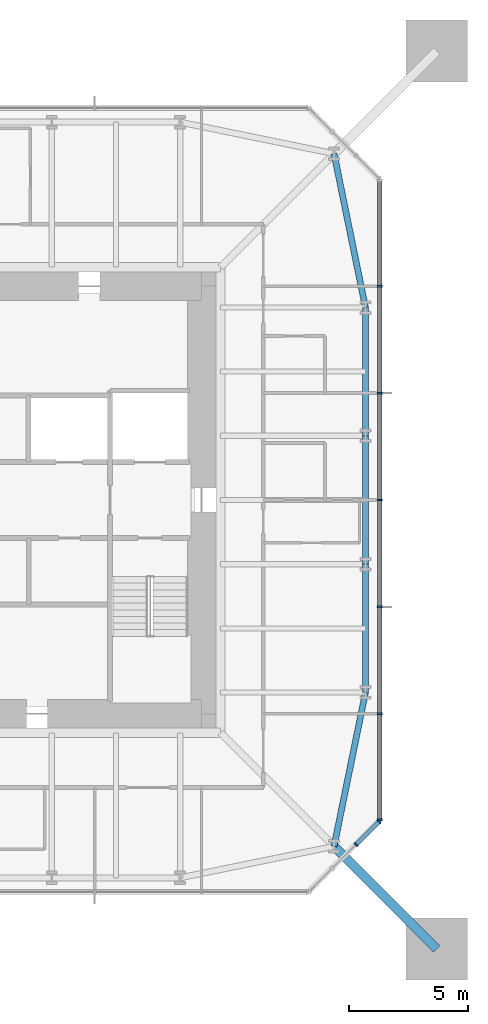
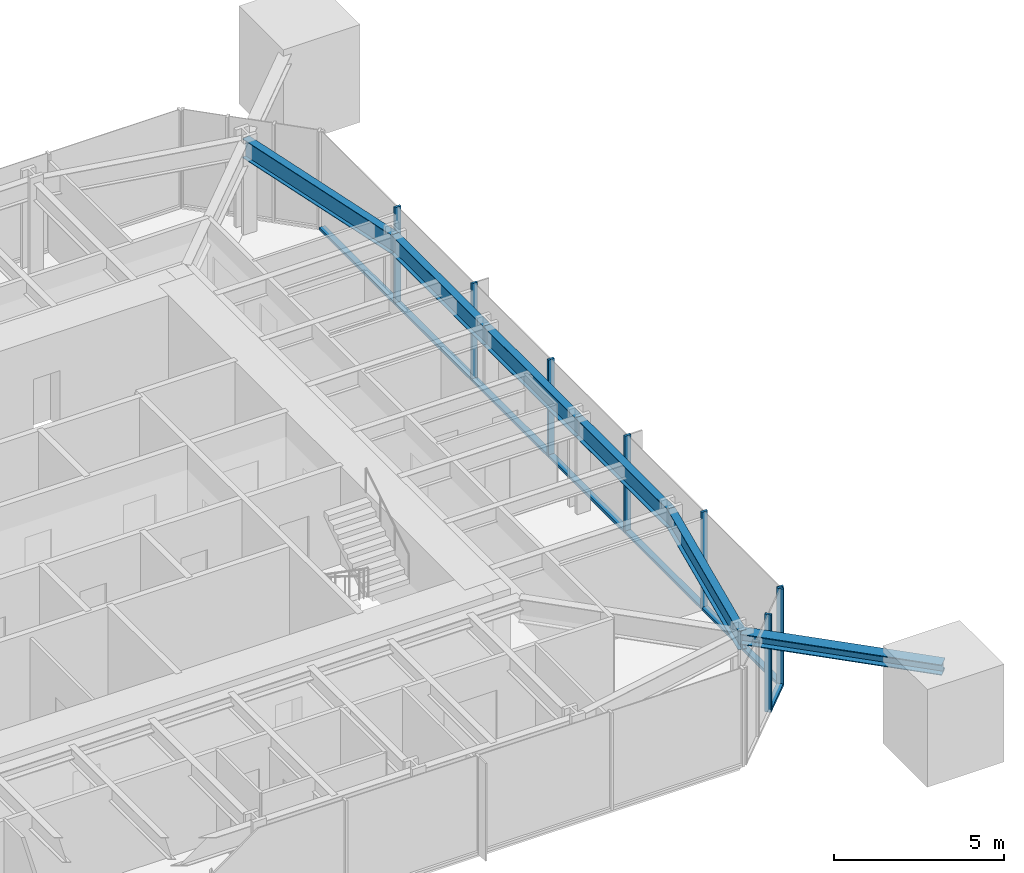
# One storey, part 3 of 9: 16 members, 5 beams, 2 elements without a shape of their own.
"""IFC4 building model written with IfcOpenShell, lengths in metres."""

from ifc_helpers import new_model, si_unit, direction, frame, origin, origin_2d, place, context, subcontext, project, spatial, rectangle, i_section, extrude, material, material_profile, profile_set, type_object, element, aggregate, save


model = new_model("IFC4")

# Units and contexts
model_context = context("Model", 3, precision=1e-05, world=origin(), true_north=direction((0.0, 1.0)))
body_context = subcontext(model_context, "Body", "Model", "MODEL_VIEW")
ifc_project = project(units=[si_unit("LENGTHUNIT", "METRE"), si_unit("AREAUNIT", "SQUARE_METRE"), si_unit("VOLUMEUNIT", "CUBIC_METRE"), si_unit("PLANEANGLEUNIT", "RADIAN"), si_unit("MASSUNIT", "GRAM", prefix="KILO")], contexts=[model_context])

# Site, building, storey
site_placement = place(None, origin())
site = spatial("IfcSite", under=ifc_project, at=site_placement, CompositionType="ELEMENT")
building_placement = place(site_placement, origin())
building = spatial("IfcBuilding", under=site, at=building_placement, Name="Iwan Alto Co-Living Towers", CompositionType="ELEMENT")
storey_placement = place(building_placement, frame((0.0, 0.0, 236.0)))
storey = spatial("IfcBuildingStorey", under=building, at=storey_placement, Name="L64", CompositionType="ELEMENT", Elevation=236.0)

# Curtain wall, members
ifc_material_1 = material(Name="Bronze aluminium unitised frame", Category="aluminium")
curtain_wall_type_1 = type_object("IfcCurtainWallType", Name="CURTAIN WALL CW-A", PredefinedType="NOTDEFINED", material=ifc_material_1)
curtain_wall_1_placement = place(storey_placement, origin())
curtain_wall_1 = element("IfcCurtainWall", 1, at=curtain_wall_1_placement, inside=storey, type_object=curtain_wall_type_1, Name="T1 curtain wall E L64", PredefinedType="NOTDEFINED")
ifc_material_2 = material(Name="Aluminium 6063-T6 bronze anodised", Category="aluminium")
ifc_material_profile_1 = material_profile(ifc_material_2, rectangle(XDim=0.199951171875, YDim=0.080078125, at=origin_2d()), Name="AL 80X200")
ifc_profile_set_1 = profile_set([ifc_material_profile_1], Name="Aluminium 6063-T6 bronze anodised")
member_type_1 = type_object("IfcMemberType", Name="CW-A MULLION 80X200", PredefinedType="MULLION", material=ifc_profile_set_1)
member_1_placement = place(storey_placement, frame((16.5, -13.4599609375, 0.0), z_axis=(0.0, 0.0, 1.0), x_axis=(-1.0, 0.0, 0.0)))
member_1 = element("IfcMember", 2, at=member_1_placement, type_object=member_type_1, Name="CW-A mullion 1", PredefinedType="MULLION", context=body_context, shape_type="SweptSolid", body=[
    extrude(rectangle(XDim=0.199951171875, YDim=0.080078125, at=origin_2d()), origin(), (0.0, 0.0, 1.0), 3.5),
])
member_2_placement = place(storey_placement, frame((16.5, -9.0, 0.0), z_axis=(0.0, 0.0, 1.0), x_axis=(-1.0, 0.0, 0.0)))
member_2 = element("IfcMember", 3, at=member_2_placement, type_object=member_type_1, Name="CW-A mullion 2", PredefinedType="MULLION", context=body_context, shape_type="SweptSolid", body=[
    extrude(rectangle(XDim=0.199951171875, YDim=0.080078125, at=origin_2d()), origin(), (0.0, 0.0, 1.0), 3.5),
])
member_3_placement = place(storey_placement, frame((16.5, -4.5, 0.0), z_axis=(0.0, 0.0, 1.0), x_axis=(-1.0, 0.0, 0.0)))
member_3 = element("IfcMember", 4, at=member_3_placement, type_object=member_type_1, Name="CW-A mullion 3", PredefinedType="MULLION", context=body_context, shape_type="SweptSolid", body=[
    extrude(rectangle(XDim=0.199951171875, YDim=0.080078125, at=origin_2d()), origin(), (0.0, 0.0, 1.0), 3.5),
])
member_4_placement = place(storey_placement, frame((16.5, 0.0, 0.0), z_axis=(0.0, 0.0, 1.0), x_axis=(-1.0, 0.0, 0.0)))
member_4 = element("IfcMember", 5, at=member_4_placement, type_object=member_type_1, Name="CW-A mullion 4", PredefinedType="MULLION", context=body_context, shape_type="SweptSolid", body=[
    extrude(rectangle(XDim=0.199951171875, YDim=0.080078125, at=origin_2d()), origin(), (0.0, 0.0, 1.0), 3.5),
])
member_5_placement = place(storey_placement, frame((16.5, 4.5, 0.0), z_axis=(0.0, 0.0, 1.0), x_axis=(-1.0, 0.0, 0.0)))
member_5 = element("IfcMember", 6, at=member_5_placement, type_object=member_type_1, Name="CW-A mullion 5", PredefinedType="MULLION", context=body_context, shape_type="SweptSolid", body=[
    extrude(rectangle(XDim=0.199951171875, YDim=0.080078125, at=origin_2d()), origin(), (0.0, 0.0, 1.0), 3.5),
])
member_6_placement = place(storey_placement, frame((16.5, 9.0, 0.0), z_axis=(0.0, 0.0, 1.0), x_axis=(-1.0, 0.0, 0.0)))
member_6 = element("IfcMember", 7, at=member_6_placement, type_object=member_type_1, Name="CW-A mullion 6", PredefinedType="MULLION", context=body_context, shape_type="SweptSolid", body=[
    extrude(rectangle(XDim=0.199951171875, YDim=0.080078125, at=origin_2d()), origin(), (0.0, 0.0, 1.0), 3.5),
])
ifc_material_3 = material(Name="Aluminium 6063-T6 bronze anodised", Category="aluminium")
ifc_material_profile_2 = material_profile(ifc_material_3, rectangle(XDim=0.199951171875, YDim=0.10009765625, at=origin_2d()), Name="AL 200X100")
ifc_profile_set_2 = profile_set([ifc_material_profile_2], Name="Aluminium 6063-T6 bronze anodised")
member_type_2 = type_object("IfcMemberType", Name="CW-A TRANSOM 200X100", PredefinedType="USERDEFINED", material=ifc_profile_set_2)
member_7_placement = place(storey_placement, frame((16.5, -13.419921875, 0.050048828125), z_axis=(0.0, 1.0, 0.0), x_axis=(-1.0, 0.0, 0.0)))
member_7 = element("IfcMember", 8, at=member_7_placement, type_object=member_type_2, Name="CW-A transom 1.1", ObjectType="TRANSOM", PredefinedType="USERDEFINED", context=body_context, shape_type="SweptSolid", body=[
    extrude(rectangle(XDim=0.199951171875, YDim=0.10009765625, at=origin_2d()), origin(), (0.0, 0.0, 1.0), 4.3798828125),
])
member_8_placement = place(storey_placement, frame((16.5, -8.9599609375, 0.050048828125), z_axis=(0.0, 1.0, 0.0), x_axis=(-1.0, 0.0, 0.0)))
member_8 = element("IfcMember", 9, at=member_8_placement, type_object=member_type_2, Name="CW-A transom 2.1", ObjectType="TRANSOM", PredefinedType="USERDEFINED", context=body_context, shape_type="SweptSolid", body=[
    extrude(rectangle(XDim=0.199951171875, YDim=0.10009765625, at=origin_2d()), origin(), (0.0, 0.0, 1.0), 4.419921875),
])
member_9_placement = place(storey_placement, frame((16.5, -4.4599609375, 0.050048828125), z_axis=(0.0, 1.0, 0.0), x_axis=(-1.0, 0.0, 0.0)))
member_9 = element("IfcMember", 10, at=member_9_placement, type_object=member_type_2, Name="CW-A transom 3.1", ObjectType="TRANSOM", PredefinedType="USERDEFINED", context=body_context, shape_type="SweptSolid", body=[
    extrude(rectangle(XDim=0.199951171875, YDim=0.10009765625, at=origin_2d()), origin(), (0.0, 0.0, 1.0), 4.419921875),
])
member_10_placement = place(storey_placement, frame((16.5, 0.0400390625, 0.050048828125), z_axis=(0.0, 1.0, 0.0), x_axis=(-1.0, 0.0, 0.0)))
member_10 = element("IfcMember", 11, at=member_10_placement, type_object=member_type_2, Name="CW-A transom 4.1", ObjectType="TRANSOM", PredefinedType="USERDEFINED", context=body_context, shape_type="SweptSolid", body=[
    extrude(rectangle(XDim=0.199951171875, YDim=0.10009765625, at=origin_2d()), origin(), (0.0, 0.0, 1.0), 4.419921875),
])
member_11_placement = place(storey_placement, frame((16.5, 4.5400390625, 0.050048828125), z_axis=(0.0, 1.0, 0.0), x_axis=(-1.0, 0.0, 0.0)))
member_11 = element("IfcMember", 12, at=member_11_placement, type_object=member_type_2, Name="CW-A transom 5.1", ObjectType="TRANSOM", PredefinedType="USERDEFINED", context=body_context, shape_type="SweptSolid", body=[
    extrude(rectangle(XDim=0.199951171875, YDim=0.10009765625, at=origin_2d()), origin(), (0.0, 0.0, 1.0), 4.419921875),
])
member_12_placement = place(storey_placement, frame((16.5, 9.0400390625, 0.050048828125), z_axis=(0.0, 1.0, 0.0), x_axis=(-1.0, 0.0, 0.0)))
member_12 = element("IfcMember", 13, at=member_12_placement, type_object=member_type_2, Name="CW-A transom 6.1", ObjectType="TRANSOM", PredefinedType="USERDEFINED", context=body_context, shape_type="SweptSolid", body=[
    extrude(rectangle(XDim=0.199951171875, YDim=0.10009765625, at=origin_2d()), origin(), (0.0, 0.0, 1.0), 4.3798828125),
])
aggregate(curtain_wall_1, [member_1, member_2, member_3, member_4, member_5, member_6, member_7, member_8, member_9, member_10, member_11, member_12])

ifc_material_4 = material(Name="Bronze aluminium unitised frame", Category="aluminium")
curtain_wall_type_2 = type_object("IfcCurtainWallType", Name="CURTAIN WALL CW-B", PredefinedType="NOTDEFINED", material=ifc_material_4)
curtain_wall_2_placement = place(storey_placement, origin())
curtain_wall_2 = element("IfcCurtainWall", 14, at=curtain_wall_2_placement, inside=storey, type_object=curtain_wall_type_2, Name="T1 chamfer curtain wall SE L64", PredefinedType="NOTDEFINED")
ifc_material_5 = material(Name="Aluminium 6063-T6 bronze anodised", Category="aluminium")
ifc_material_profile_3 = material_profile(ifc_material_5, rectangle(XDim=0.199951171875, YDim=0.080078125, at=origin_2d()), Name="AL 80X200")
ifc_profile_set_3 = profile_set([ifc_material_profile_3], Name="Aluminium 6063-T6 bronze anodised")
member_type_3 = type_object("IfcMemberType", Name="CW-B MULLION 80X200", PredefinedType="MULLION", material=ifc_profile_set_3)
member_13_placement = place(storey_placement, frame((15.5, -14.5, 0.0), z_axis=(0.0, 0.0, 1.0), x_axis=(-0.707106781187, 0.707106781187, 0.0)))
member_13 = element("IfcMember", 15, at=member_13_placement, type_object=member_type_3, Name="CW-B mullion 3", PredefinedType="MULLION", context=body_context, shape_type="SweptSolid", body=[
    extrude(rectangle(XDim=0.199951171875, YDim=0.080078125, at=origin_2d()), origin(), (0.0, 0.0, 1.0), 3.5),
])
member_14_placement = place(storey_placement, frame((16.4716796875, -13.5283203125, 0.0), z_axis=(0.0, 0.0, 1.0), x_axis=(-0.707106781187, 0.707106781187, 0.0)))
member_14 = element("IfcMember", 16, at=member_14_placement, type_object=member_type_3, Name="CW-B mullion 4", PredefinedType="MULLION", context=body_context, shape_type="SweptSolid", body=[
    extrude(rectangle(XDim=0.199951171875, YDim=0.080078125, at=origin_2d()), origin(), (0.0, 0.0, 1.0), 3.5),
])
ifc_material_6 = material(Name="Aluminium 6063-T6 bronze anodised", Category="aluminium")
ifc_material_profile_4 = material_profile(ifc_material_6, rectangle(XDim=0.199951171875, YDim=0.10009765625, at=origin_2d()), Name="AL 200X100")
ifc_profile_set_4 = profile_set([ifc_material_profile_4], Name="Aluminium 6063-T6 bronze anodised")
member_type_4 = type_object("IfcMemberType", Name="CW-B TRANSOM 200X100", PredefinedType="USERDEFINED", material=ifc_profile_set_4)
member_15_placement = place(storey_placement, frame((15.5283203125, -14.4716796875, 0.050048828125), z_axis=(0.707106781187, 0.707106781187, 0.0), x_axis=(-0.707106781187, 0.707106781187, 0.0)))
member_15 = element("IfcMember", 17, at=member_15_placement, type_object=member_type_4, Name="CW-B transom 3.1", ObjectType="TRANSOM", PredefinedType="USERDEFINED", context=body_context, shape_type="SweptSolid", body=[
    extrude(rectangle(XDim=0.199951171875, YDim=0.10009765625, at=origin_2d()), origin(), (0.0, 0.0, 1.0), 1.2939453125),
])
aggregate(curtain_wall_2, [member_13, member_14, member_15])

# Beams
ifc_material_7 = material(Name="Steel ASTM A992 Gr 50", Category="steel")
ifc_material_profile_5 = material_profile(ifc_material_7, i_section(OverallWidth=0.25390625, OverallDepth=0.683349609375, WebThickness=0.012451171875, FlangeThickness=0.018798828125, at=origin_2d()), Name="W27X94")
ifc_profile_set_5 = profile_set([ifc_material_profile_5], Name="Steel ASTM A992 Gr 50")
beam_type = type_object("IfcBeamType", Name="T1 EDGE BEAM W27X94", PredefinedType="BEAM", material=ifc_profile_set_5)
beam_1_placement = place(storey_placement, frame((14.57568359375, -14.57568359375, 2.928466796875), z_axis=(0.200347889618, 0.979724820103, 0.0), x_axis=(-0.979724820103, 0.200347889618, 0.0)))
element("IfcBeam", 18, at=beam_1_placement, inside=storey, type_object=beam_type, Name="T1 edge beam CSE L65", PredefinedType="BEAM", context=body_context, shape_type="SweptSolid", body=[
    extrude(i_section(OverallWidth=0.25390625, OverallDepth=0.683349609375, WebThickness=0.012451171875, FlangeThickness=0.018798828125, at=origin_2d()), origin(), (0.0, 0.0, 1.0), 6.609619140625),
])
beam_2_placement = place(storey_placement, frame((15.89990234375, -8.10009765625, 2.928466796875), z_axis=(0.0, 1.0, 0.0), x_axis=(-1.0, 0.0, 0.0)))
element("IfcBeam", 19, at=beam_2_placement, inside=storey, type_object=beam_type, Name="T1 edge beam E1 L65", PredefinedType="BEAM", context=body_context, shape_type="SweptSolid", body=[
    extrude(i_section(OverallWidth=0.25390625, OverallDepth=0.683349609375, WebThickness=0.012451171875, FlangeThickness=0.018798828125, at=origin_2d()), origin(), (0.0, 0.0, 1.0), 5.400146484375),
])
beam_3_placement = place(storey_placement, frame((15.89990234375, -2.699951171875, 2.928466796875), z_axis=(0.0, 1.0, 0.0), x_axis=(-1.0, 0.0, 0.0)))
element("IfcBeam", 20, at=beam_3_placement, inside=storey, type_object=beam_type, Name="T1 edge beam E2 L65", PredefinedType="BEAM", context=body_context, shape_type="SweptSolid", body=[
    extrude(i_section(OverallWidth=0.25390625, OverallDepth=0.683349609375, WebThickness=0.012451171875, FlangeThickness=0.018798828125, at=origin_2d()), origin(), (0.0, 0.0, 1.0), 5.39990234375),
])
beam_4_placement = place(storey_placement, frame((15.89990234375, 2.699951171875, 2.928466796875), z_axis=(0.0, 1.0, 0.0), x_axis=(-1.0, 0.0, 0.0)))
element("IfcBeam", 21, at=beam_4_placement, inside=storey, type_object=beam_type, Name="T1 edge beam E3 L65", PredefinedType="BEAM", context=body_context, shape_type="SweptSolid", body=[
    extrude(i_section(OverallWidth=0.25390625, OverallDepth=0.683349609375, WebThickness=0.012451171875, FlangeThickness=0.018798828125, at=origin_2d()), origin(), (0.0, 0.0, 1.0), 5.400146484375),
])
beam_5_placement = place(storey_placement, frame((15.89990234375, 8.10009765625, 2.928466796875), z_axis=(-0.200347889618, 0.979724820103, 0.0), x_axis=(-0.979724820103, -0.200347889618, 0.0)))
element("IfcBeam", 22, at=beam_5_placement, inside=storey, type_object=beam_type, Name="T1 edge beam E4 L65", PredefinedType="BEAM", context=body_context, shape_type="SweptSolid", body=[
    extrude(i_section(OverallWidth=0.25390625, OverallDepth=0.683349609375, WebThickness=0.012451171875, FlangeThickness=0.018798828125, at=origin_2d()), origin(), (0.0, 0.0, 1.0), 6.609619140625),
])

# Member
ifc_material_8 = material(Name="Steel ASTM A992 Gr 50", Category="steel")
ifc_material_profile_6 = material_profile(ifc_material_8, i_section(OverallWidth=0.393798828125, OverallDepth=0.3759765625, WebThickness=0.017333984375, FlangeThickness=0.027587890625, at=origin_2d()), Name="W14X145")
ifc_profile_set_6 = profile_set([ifc_material_profile_6], Name="Steel ASTM A992 Gr 50")
member_type_5 = type_object("IfcMemberType", Name="T1 MEGA COLUMN FLOOR TIE W14X145", PredefinedType="STRUT", material=ifc_profile_set_6)
member_16_placement = place(storey_placement, frame((18.89990234375, -18.89990234375, 3.08203125), z_axis=(-0.707106781187, 0.707106781187, 0.0), x_axis=(-0.707106781187, -0.707106781187, 0.0)))
element("IfcMember", 23, at=member_16_placement, inside=storey, type_object=member_type_5, Name="T1 mega column floor tie SE L65", PredefinedType="STRUT", context=body_context, shape_type="SweptSolid", body=[
    extrude(i_section(OverallWidth=0.393798828125, OverallDepth=0.3759765625, WebThickness=0.017333984375, FlangeThickness=0.027587890625, at=origin_2d()), origin(), (0.0, 0.0, 1.0), 6.115478515625),
])

save(model, "model.ifc")
